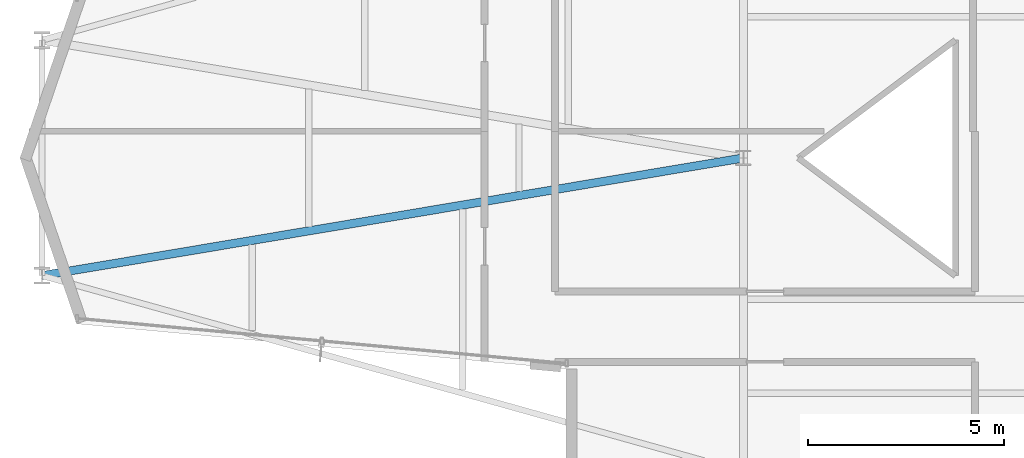
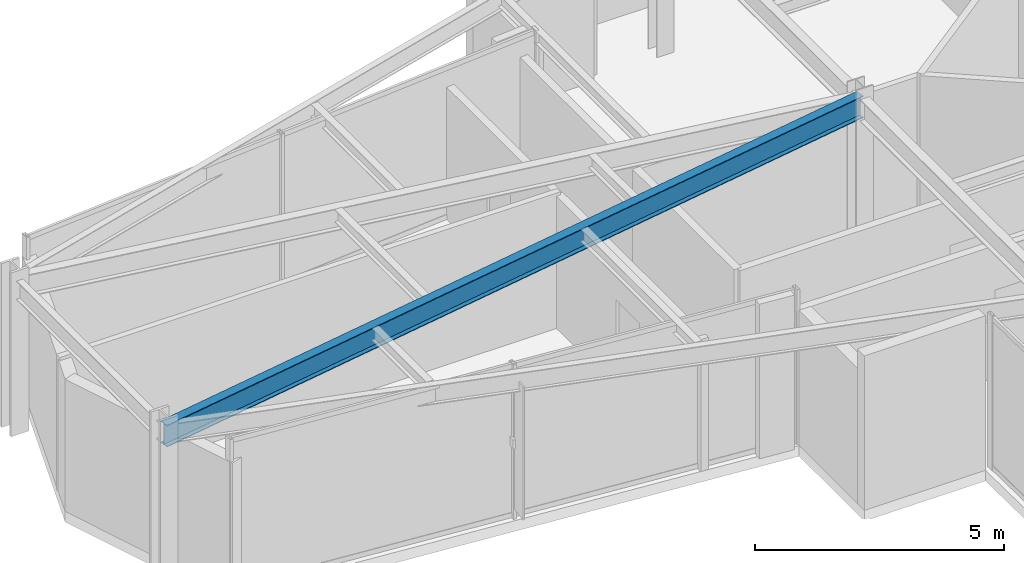
# One storey, part 5 of 22: 1 beam.
"""IFC4 building model written with IfcOpenShell, lengths in metres."""

from ifc_helpers import new_model, si_unit, direction, frame, origin, origin_2d, place, context, subcontext, project, spatial, i_section, extrude, material, material_profile, profile_set, type_object, element, save


model = new_model("IFC4")

# Units and contexts
model_context = context("Model", 3, precision=1e-05, world=origin(), true_north=direction((0.0, 1.0)))
body_context = subcontext(model_context, "Body", "Model", "MODEL_VIEW")
ifc_project = project(units=[si_unit("LENGTHUNIT", "METRE"), si_unit("AREAUNIT", "SQUARE_METRE"), si_unit("VOLUMEUNIT", "CUBIC_METRE"), si_unit("PLANEANGLEUNIT", "RADIAN"), si_unit("MASSUNIT", "GRAM", prefix="KILO")], contexts=[model_context])

# Site, building, storey
site_placement = place(None, origin())
site = spatial("IfcSite", under=ifc_project, at=site_placement, CompositionType="ELEMENT")
building_placement = place(site_placement, origin())
building = spatial("IfcBuilding", under=site, at=building_placement, Name="Veymaron Broadcast Tower", CompositionType="ELEMENT")
storey_placement = place(building_placement, frame((0.0, 0.0, 204.0)))
storey = spatial("IfcBuildingStorey", under=building, at=storey_placement, Name="L47", CompositionType="ELEMENT", Elevation=204.0)

# Beam
ifc_material = material(Name="Structural steel ASTM A992 Gr 50", Category="steel")
ifc_material_profile = material_profile(ifc_material, i_section(OverallWidth=0.2099609375, OverallDepth=0.537109375, WebThickness=0.010986328125, FlangeThickness=0.017333984375, at=origin_2d()), Name="W530X101")
ifc_profile_set = profile_set([ifc_material_profile], Name="Structural steel ASTM A992 Gr 50")
beam_type = type_object("IfcBeamType", Name="BM-FG3", PredefinedType="BEAM", material=ifc_profile_set)
beam_placement = place(storey_placement, frame((13.320068359375, 21.0, 3.521484375), z_axis=(0.986214273988, 0.165473278152, 0.0), x_axis=(-0.165473278152, 0.986214273988, 0.0)))
element("IfcBeam", 1, at=beam_placement, inside=storey, type_object=beam_type, Name="L47 primary structural floor girder", PredefinedType="BEAM", context=body_context, shape_type="SweptSolid", body=[
    extrude(i_section(OverallWidth=0.2099609375, OverallDepth=0.537109375, WebThickness=0.010986328125, FlangeThickness=0.017333984375, at=origin_2d()), origin(), (0.0, 0.0, 1.0), 18.1298828125),
])

save(model, "model.ifc")
